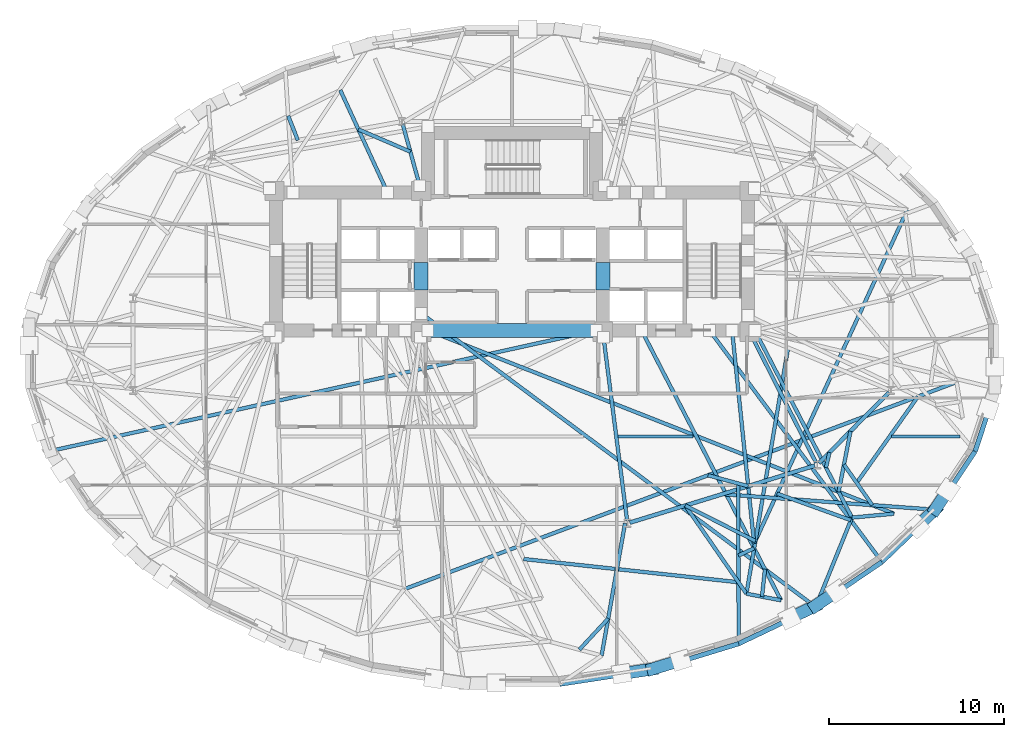
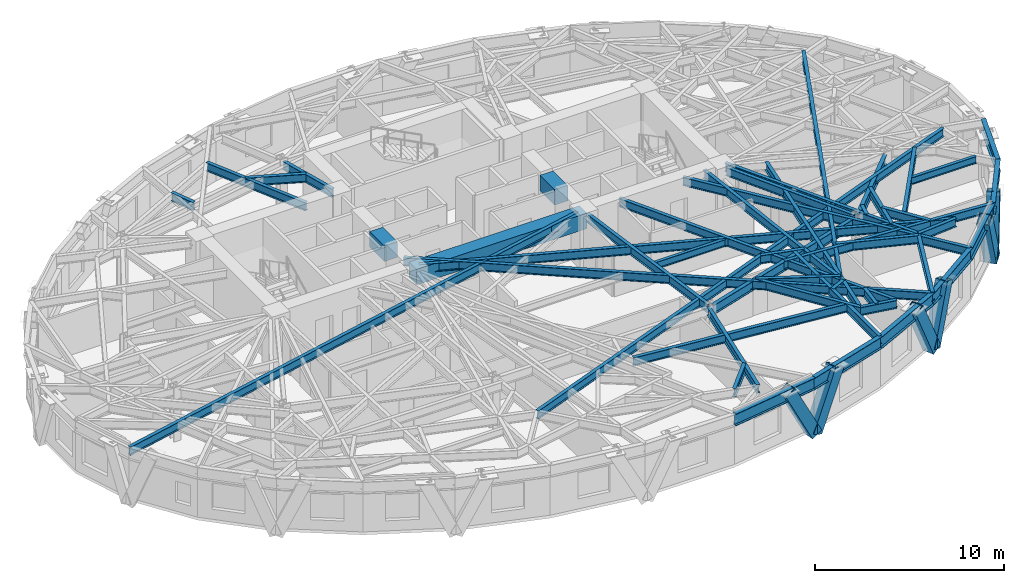
# One storey, part 3 of 14: 48 beams, 6 members.
"""IFC4 building model written with IfcOpenShell, lengths in metres."""

from ifc_helpers import new_model, si_unit, direction, frame, origin, origin_2d, place, context, subcontext, project, spatial, rectangle, hollow_rectangle, i_section, extrude, material, material_profile, profile_set, type_object, element, save


model = new_model("IFC4")

# Units and contexts
model_context = context("Model", 3, precision=1e-05, world=origin(), true_north=direction((0.0, 1.0)))
body_context = subcontext(model_context, "Body", "Model", "MODEL_VIEW")
ifc_project = project(units=[si_unit("LENGTHUNIT", "METRE"), si_unit("AREAUNIT", "SQUARE_METRE"), si_unit("VOLUMEUNIT", "CUBIC_METRE"), si_unit("PLANEANGLEUNIT", "RADIAN"), si_unit("MASSUNIT", "GRAM", prefix="KILO")], contexts=[model_context])

# Site, building, storey
site_placement = place(None, origin())
site = spatial("IfcSite", under=ifc_project, at=site_placement, CompositionType="ELEMENT")
building_placement = place(site_placement, origin())
building = spatial("IfcBuilding", under=site, at=building_placement, Name="Keldmark Tower", CompositionType="ELEMENT")
storey_placement = place(building_placement, frame((0.0, 0.0, 103.60009765625)))
storey = spatial("IfcBuildingStorey", under=building, at=storey_placement, Name="L27", CompositionType="ELEMENT", Elevation=103.60009765625)

# Beams
ifc_material_1 = material(Name="Steel ASTM A992 Grade 50", Category="steel")
ifc_material_profile_1 = material_profile(ifc_material_1, i_section(OverallWidth=0.19091796875, OverallDepth=0.45703125, WebThickness=0.009033203125, FlangeThickness=0.014404296875, at=origin_2d()), Name="W18X50")
ifc_profile_set_1 = profile_set([ifc_material_profile_1], Name="Steel ASTM A992 Grade 50")
beam_type_1 = type_object("IfcBeamType", Name="Composite Floor Joist W18X50", PredefinedType="JOIST", material=ifc_profile_set_1)
beam_1_placement = place(storey_placement, frame((6.06884765625, -4.60009765625, 3.081298828125), z_axis=(1.0, 0.0, 0.0), x_axis=(0.0, 1.0, 0.0)))
element("IfcBeam", 1, at=beam_1_placement, inside=storey, type_object=beam_type_1, Name="L27 Composite Floor Joist J06", PredefinedType="JOIST", context=body_context, shape_type="SweptSolid", body=[
    extrude(i_section(OverallWidth=0.19091796875, OverallDepth=0.45703125, WebThickness=0.009033203125, FlangeThickness=0.014404296875, at=origin_2d()), origin(), (0.0, 0.0, 1.0), 4.287353515625),
])
beam_2_placement = place(storey_placement, frame((21.74658203125, -4.60009765625, 3.081298828125), z_axis=(1.0, 0.0, 0.0), x_axis=(0.0, 1.0, 0.0)))
element("IfcBeam", 2, at=beam_2_placement, inside=storey, type_object=beam_type_1, Name="L27 Composite Floor Joist J07", PredefinedType="JOIST", context=body_context, shape_type="SweptSolid", body=[
    extrude(i_section(OverallWidth=0.19091796875, OverallDepth=0.45703125, WebThickness=0.009033203125, FlangeThickness=0.014404296875, at=origin_2d()), origin(), (0.0, 0.0, 1.0), 3.92138671875),
])
ifc_material_2 = material(Name="Concrete C70/85", Category="concrete")
ifc_material_profile_2 = material_profile(ifc_material_2, rectangle(XDim=0.800048828125, YDim=1.0, at=origin_2d()), Name="RCB800X1000")
ifc_profile_set_2 = profile_set([ifc_material_profile_2], Name="Concrete C70/85")
beam_type_2 = type_object("IfcBeamType", Name="Core Coupling Beam RCB800X1000", PredefinedType="USERDEFINED", material=ifc_profile_set_2)
for number, where, z_axis, x_axis, name in (
    (3, (-5.199951171875, 3.800048828125, 2.809814453125), (0.0, 1.0, 0.0), (-1.0, 0.0, 0.0), "L27 West Core Coupling Beam"),
    (4, (5.199951171875, 3.800048828125, 2.809814453125), (0.0, 1.0, 0.0), (-1.0, 0.0, 0.0), "L27 East Core Coupling Beam"),
):
    element("IfcBeam", number, at=place(storey_placement, frame(where, z_axis=z_axis, x_axis=x_axis)), inside=storey, type_object=beam_type_2, Name=name, ObjectType="COUPLING BEAM", PredefinedType="USERDEFINED", context=body_context, shape_type="SweptSolid", body=[
        extrude(rectangle(XDim=0.800048828125, YDim=1.0, at=origin_2d()), origin(), (0.0, 0.0, 1.0), 1.550048828125),
    ])
beam_3_placement = place(storey_placement, frame((-5.199951171875, 1.47509765625, 2.809814453125), z_axis=(1.0, 0.0, 0.0), x_axis=(0.0, 1.0, 0.0)))
element("IfcBeam", 5, at=beam_3_placement, inside=storey, type_object=beam_type_2, Name="L27 Central South Core Coupling Beam", ObjectType="COUPLING BEAM", PredefinedType="USERDEFINED", context=body_context, shape_type="SweptSolid", body=[
    extrude(rectangle(XDim=0.800048828125, YDim=1.0, at=origin_2d()), origin(), (0.0, 0.0, 1.0), 10.39990234375),
])

# Members
ifc_material_3 = material(Name="Steel ASTM A572 Grade 50", Category="steel")
ifc_material_profile_3 = material_profile(ifc_material_3, hollow_rectangle(XDim=0.699951171875, YDim=0.699951171875, WallThickness=0.044921875, at=origin_2d()), Name="BOX700X700X45")
ifc_profile_set_3 = profile_set([ifc_material_profile_3], Name="Steel ASTM A572 Grade 50")
member_type = type_object("IfcMemberType", Name="Diagrid Zone 2 Brace BOX700X700X45", PredefinedType="BRACE", material=ifc_profile_set_3)
member_1_placement = place(storey_placement, frame((8.039794921875, -17.919921875, -0.27001953125), z_axis=(-0.454742835075, -0.069170031679, 0.887932689265), x_axis=(0.150378326098, -0.98862852429, 0.0)))
element("IfcMember", 6, at=member_1_placement, inside=storey, type_object=member_type, Name="L27 Perimeter Diagrid Brace 13A", PredefinedType="BRACE", context=body_context, shape_type="SweptSolid", body=[
    extrude(hollow_rectangle(XDim=0.699951171875, YDim=0.699951171875, WallThickness=0.044921875, at=origin_2d()), origin(), (0.0, 0.0, 1.0), 3.896728515625),
])
member_2_placement = place(storey_placement, frame((8.0283203125, -17.922119140625, -0.27001953125), z_axis=(0.425979763501, 0.130327191473, 0.895296634781), x_axis=(-0.292560790284, 0.956246926264, 0.0)))
element("IfcMember", 7, at=member_2_placement, inside=storey, type_object=member_type, Name="L27 Perimeter Diagrid Brace 13B", PredefinedType="BRACE", context=body_context, shape_type="SweptSolid", body=[
    extrude(hollow_rectangle(XDim=0.699951171875, YDim=0.699951171875, WallThickness=0.044921875, at=origin_2d()), origin(), (0.0, 0.0, 1.0), 3.864501953125),
])
member_3_placement = place(storey_placement, frame((17.361572265625, -14.311279296875, -0.27001953125), z_axis=(-0.38401046466, -0.183448963247, 0.904921234647), x_axis=(0.431057279259, -0.902324565773, 0.0)))
element("IfcMember", 8, at=member_3_placement, inside=storey, type_object=member_type, Name="L27 Perimeter Diagrid Brace 14A", PredefinedType="BRACE", context=body_context, shape_type="SweptSolid", body=[
    extrude(hollow_rectangle(XDim=0.699951171875, YDim=0.699951171875, WallThickness=0.044921875, at=origin_2d()), origin(), (0.0, 0.0, 1.0), 3.823486328125),
])
member_4_placement = place(storey_placement, frame((17.351806640625, -14.31787109375, -0.27001953125), z_axis=(0.33479314782, 0.226959811273, 0.914550595779), x_axis=(-0.56112680855, 0.827729850088, 0.0)))
element("IfcMember", 9, at=member_4_placement, inside=storey, type_object=member_type, Name="L27 Perimeter Diagrid Brace 14B", PredefinedType="BRACE", context=body_context, shape_type="SweptSolid", body=[
    extrude(hollow_rectangle(XDim=0.699951171875, YDim=0.699951171875, WallThickness=0.044921875, at=origin_2d()), origin(), (0.0, 0.0, 1.0), 3.783203125),
])
member_5_placement = place(storey_placement, frame((24.24658203125, -8.764404296875, -0.27001953125), z_axis=(-0.276144933571, -0.265716991779, 0.923654944199), x_axis=(0.693370375166, -0.720581378362, 0.0)))
element("IfcMember", 10, at=member_5_placement, inside=storey, type_object=member_type, Name="L27 Perimeter Diagrid Brace 15A", PredefinedType="BRACE", context=body_context, shape_type="SweptSolid", body=[
    extrude(hollow_rectangle(XDim=0.699951171875, YDim=0.699951171875, WallThickness=0.044921875, at=origin_2d()), origin(), (0.0, 0.0, 1.0), 3.745849609375),
])
member_6_placement = place(storey_placement, frame((24.239990234375, -8.774169921875, -0.27001953125), z_axis=(0.20033727484, 0.300801977198, 0.932407178664), x_axis=(-0.832302268479, 0.554322048889, 0.0)))
element("IfcMember", 11, at=member_6_placement, inside=storey, type_object=member_type, Name="L27 Perimeter Diagrid Brace 15B", PredefinedType="BRACE", context=body_context, shape_type="SweptSolid", body=[
    extrude(hollow_rectangle(XDim=0.699951171875, YDim=0.699951171875, WallThickness=0.044921875, at=origin_2d()), origin(), (0.0, 0.0, 1.0), 3.710693359375),
])

# Beams
ifc_material_4 = material(Name="Steel ASTM A992 Grade 50", Category="steel")
ifc_material_profile_4 = material_profile(ifc_material_4, i_section(OverallWidth=0.22900390625, OverallDepth=0.612060546875, WebThickness=0.011962890625, FlangeThickness=0.01953125, at=origin_2d()), Name="W24X84")
ifc_profile_set_4 = profile_set([ifc_material_profile_4], Name="Steel ASTM A992 Grade 50")
beam_type_3 = type_object("IfcBeamType", Name="Primary Floor Girder W24X84", PredefinedType="BEAM", material=ifc_profile_set_4)
beam_4_placement = place(storey_placement, frame((6.74658203125, -9.5380859375, 3.00390625), z_axis=(0.955607954968, 0.294641199432, 0.0), x_axis=(-0.294641199432, 0.955607954968, 0.0)))
element("IfcBeam", 12, at=beam_4_placement, inside=storey, type_object=beam_type_3, Name="L27 Floor Ring Girder FG-R10", PredefinedType="BEAM", context=body_context, shape_type="SweptSolid", body=[
    extrude(i_section(OverallWidth=0.22900390625, OverallDepth=0.612060546875, WebThickness=0.011962890625, FlangeThickness=0.01953125, at=origin_2d()), origin(), (0.0, 0.0, 1.0), 11.089111328125),
])
beam_5_placement = place(storey_placement, frame((17.57568359375, -6.130126953125, 3.00390625), z_axis=(0.703425791323, 0.71076870788, 0.0), x_axis=(-0.71076870788, 0.703425791323, 0.0)))
element("IfcBeam", 13, at=beam_5_placement, inside=storey, type_object=beam_type_3, Name="L27 Floor Ring Girder FG-R11", PredefinedType="BEAM", context=body_context, shape_type="SweptSolid", body=[
    extrude(i_section(OverallWidth=0.22900390625, OverallDepth=0.612060546875, WebThickness=0.011962890625, FlangeThickness=0.01953125, at=origin_2d()), origin(), (0.0, 0.0, 1.0), 5.71875),
])
ifc_material_5 = material(Name="Steel ASTM A992 Grade 50", Category="steel")
ifc_material_profile_5 = material_profile(ifc_material_5, i_section(OverallWidth=0.2099609375, OverallDepth=0.537109375, WebThickness=0.010986328125, FlangeThickness=0.017333984375, at=origin_2d()), Name="W21X68")
ifc_profile_set_5 = profile_set([ifc_material_profile_5], Name="Steel ASTM A992 Grade 50")
beam_type_4 = type_object("IfcBeamType", Name="Radial Tie Girder W21X68", PredefinedType="BEAM", material=ifc_profile_set_5)
beam_6_placement = place(storey_placement, frame((-6.26171875, 13.297607421875, 3.04150390625), z_axis=(0.265997186795, -0.963973804944, 0.0), x_axis=(0.963973804944, 0.265997186795, 0.0)))
element("IfcBeam", 14, at=beam_6_placement, inside=storey, type_object=beam_type_4, Name="L27 Floor Radial Girder FG-C04", PredefinedType="BEAM", context=body_context, shape_type="SweptSolid", body=[
    extrude(i_section(OverallWidth=0.2099609375, OverallDepth=0.537109375, WebThickness=0.010986328125, FlangeThickness=0.017333984375, at=origin_2d()), origin(), (0.0, 0.0, 1.0), 3.67138671875),
])
beam_7_placement = place(storey_placement, frame((6.594970703125, -9.4404296875, 3.04150390625), z_axis=(-0.127642040045, 0.991820301069, 0.0), x_axis=(-0.991820301069, -0.127642040045, 0.0)))
element("IfcBeam", 15, at=beam_7_placement, inside=storey, type_object=beam_type_4, Name="L27 Floor Radial Girder FG-C10", PredefinedType="BEAM", context=body_context, shape_type="SweptSolid", body=[
    extrude(i_section(OverallWidth=0.2099609375, OverallDepth=0.537109375, WebThickness=0.010986328125, FlangeThickness=0.017333984375, at=origin_2d()), origin(), (0.0, 0.0, 1.0), 10.609619140625),
])
beam_8_placement = place(storey_placement, frame((17.413818359375, -6.104736328125, 3.04150390625), z_axis=(-0.453028637759, 0.891495963743, 0.0), x_axis=(-0.891495963743, -0.453028637759, 0.0)))
element("IfcBeam", 16, at=beam_8_placement, inside=storey, type_object=beam_type_4, Name="L27 Floor Radial Girder FG-C11", PredefinedType="BEAM", context=body_context, shape_type="SweptSolid", body=[
    extrude(i_section(OverallWidth=0.2099609375, OverallDepth=0.537109375, WebThickness=0.010986328125, FlangeThickness=0.017333984375, at=origin_2d()), origin(), (0.0, 0.0, 1.0), 8.09814453125),
])
beam_9_placement = place(storey_placement, frame((-5.822265625, 11.705078125, 3.04150390625), z_axis=(-0.918742788733, 0.39485654123, 0.0), x_axis=(-0.39485654123, -0.918742788733, 0.0)))
element("IfcBeam", 17, at=beam_9_placement, inside=storey, type_object=beam_type_4, Name="L27 Framing Pin Header PH-002", PredefinedType="BEAM", context=body_context, shape_type="SweptSolid", body=[
    extrude(i_section(OverallWidth=0.2099609375, OverallDepth=0.537109375, WebThickness=0.010986328125, FlangeThickness=0.017333984375, at=origin_2d()), origin(), (0.0, 0.0, 1.0), 3.237548828125),
])
beam_10_placement = place(storey_placement, frame((-7.132080078125, 9.375, 3.04150390625), z_axis=(-0.41889505374, 0.908034654599, 0.0), x_axis=(-0.908034654599, -0.41889505374, 0.0)))
element("IfcBeam", 18, at=beam_10_placement, inside=storey, type_object=beam_type_4, Name="L27 Sub-Ring Step Girder STP1-M05", PredefinedType="BEAM", context=body_context, shape_type="SweptSolid", body=[
    extrude(i_section(OverallWidth=0.2099609375, OverallDepth=0.537109375, WebThickness=0.010986328125, FlangeThickness=0.017333984375, at=origin_2d()), origin(), (0.0, 0.0, 1.0), 6.4541015625),
])
beam_11_placement = place(storey_placement, frame((-6.1748046875, -13.349609375, 3.04150390625), z_axis=(0.936336898088, 0.351102852851, 0.0), x_axis=(-0.351102852851, 0.936336898088, 0.0)))
element("IfcBeam", 19, at=beam_11_placement, inside=storey, type_object=beam_type_4, Name="L27 Perimeter Collector Ring Beam CRG1-M09", PredefinedType="BEAM", context=body_context, shape_type="SweptSolid", body=[
    extrude(i_section(OverallWidth=0.2099609375, OverallDepth=0.537109375, WebThickness=0.010986328125, FlangeThickness=0.017333984375, at=origin_2d()), origin(), (0.0, 0.0, 1.0), 33.787109375),
])
beam_12_placement = place(storey_placement, frame((11.22509765625, -6.8251953125, 3.04150390625), z_axis=(0.965260823005, -0.261288238485, 0.0), x_axis=(0.261288238485, 0.965260823005, 0.0)))
element("IfcBeam", 20, at=beam_12_placement, inside=storey, type_object=beam_type_4, Name="L27 Framing Pin Header PH-014", PredefinedType="BEAM", context=body_context, shape_type="SweptSolid", body=[
    extrude(i_section(OverallWidth=0.2099609375, OverallDepth=0.537109375, WebThickness=0.010986328125, FlangeThickness=0.017333984375, at=origin_2d()), origin(), (0.0, 0.0, 1.0), 2.383544921875),
])
beam_13_placement = place(storey_placement, frame((12.603515625, 1.47509765625, 3.04150390625), z_axis=(0.102811001246, -0.994700908828, 0.0), x_axis=(0.994700908828, 0.102811001246, 0.0)))
element("IfcBeam", 21, at=beam_13_placement, inside=storey, type_object=beam_type_4, Name="L27 Sub-Ring Step Girder STP2-M11", PredefinedType="BEAM", context=body_context, shape_type="SweptSolid", body=[
    extrude(i_section(OverallWidth=0.2099609375, OverallDepth=0.537109375, WebThickness=0.010986328125, FlangeThickness=0.017333984375, at=origin_2d()), origin(), (0.0, 0.0, 1.0), 12.2841796875),
])
beam_14_placement = place(storey_placement, frame((13.866455078125, -10.743896484375, 3.04150390625), z_axis=(0.416970317331, 0.908920103455, 0.0), x_axis=(-0.908920103455, 0.416970317331, 0.0)))
element("IfcBeam", 22, at=beam_14_placement, inside=storey, type_object=beam_type_4, Name="L27 Perimeter Collector Ring Beam CRG2-M11", PredefinedType="BEAM", context=body_context, shape_type="SweptSolid", body=[
    extrude(i_section(OverallWidth=0.2099609375, OverallDepth=0.537109375, WebThickness=0.010986328125, FlangeThickness=0.017333984375, at=origin_2d()), origin(), (0.0, 0.0, 1.0), 21.041015625),
])
beam_15_placement = place(storey_placement, frame((-12.2626953125, 12.360107421875, 3.04150390625), z_axis=(-0.369063913869, 0.929404017357, 0.0), x_axis=(-0.929404017357, -0.369063913869, 0.0)))
element("IfcBeam", 23, at=beam_15_placement, inside=storey, type_object=beam_type_4, Name="L27 Framing Pin Header PH-021", PredefinedType="BEAM", context=body_context, shape_type="SweptSolid", body=[
    extrude(i_section(OverallWidth=0.2099609375, OverallDepth=0.537109375, WebThickness=0.010986328125, FlangeThickness=0.017333984375, at=origin_2d()), origin(), (0.0, 0.0, 1.0), 1.502197265625),
])
beam_16_placement = place(storey_placement, frame((4.824951171875, 1.47509765625, 3.04150390625), z_axis=(-0.976430149111, -0.215833648692, 0.0), x_axis=(0.215833648692, -0.976430149111, 0.0)))
element("IfcBeam", 24, at=beam_16_placement, inside=storey, type_object=beam_type_4, Name="L27 Perimeter Radial Tie Girder RT-18", PredefinedType="BEAM", context=body_context, shape_type="SweptSolid", body=[
    extrude(i_section(OverallWidth=0.2099609375, OverallDepth=0.537109375, WebThickness=0.010986328125, FlangeThickness=0.017333984375, at=origin_2d()), origin(), (0.0, 0.0, 1.0), 32.104248046875),
])
beam_17_placement = place(storey_placement, frame((9.92578125, -8.557861328125, 3.04150390625), z_axis=(0.89201446868, -0.452006844711, 0.0), x_axis=(0.452006844711, 0.89201446868, 0.0)))
element("IfcBeam", 25, at=beam_17_placement, inside=storey, type_object=beam_type_4, Name="L27 Framing Pin Header PH-036", PredefinedType="BEAM", context=body_context, shape_type="SweptSolid", body=[
    extrude(i_section(OverallWidth=0.2099609375, OverallDepth=0.537109375, WebThickness=0.010986328125, FlangeThickness=0.017333984375, at=origin_2d()), origin(), (0.0, 0.0, 1.0), 4.49658203125),
])
beam_18_placement = place(storey_placement, frame((15.8134765625, 0.47998046875, 3.04150390625), z_axis=(-0.167141733983, -0.985932878426, 0.0), x_axis=(0.985932878426, -0.167141733983, 0.0)))
element("IfcBeam", 26, at=beam_18_placement, inside=storey, type_object=beam_type_4, Name="L27 Intermediate Radial Step Girder RT-27M", PredefinedType="BEAM", context=body_context, shape_type="SweptSolid", body=[
    extrude(i_section(OverallWidth=0.2099609375, OverallDepth=0.537109375, WebThickness=0.010986328125, FlangeThickness=0.017333984375, at=origin_2d()), origin(), (0.0, 0.0, 1.0), 14.286865234375),
])
beam_19_placement = place(storey_placement, frame((9.92578125, -8.557861328125, 3.04150390625), z_axis=(0.5697513477, -0.821817134035, 0.0), x_axis=(0.821817134035, 0.5697513477, 0.0)))
element("IfcBeam", 27, at=beam_19_placement, inside=storey, type_object=beam_type_4, Name="L27 Local Collector Chord RT-27C", PredefinedType="BEAM", context=body_context, shape_type="SweptSolid", body=[
    extrude(i_section(OverallWidth=0.2099609375, OverallDepth=0.537109375, WebThickness=0.010986328125, FlangeThickness=0.017333984375, at=origin_2d()), origin(), (0.0, 0.0, 1.0), 6.142578125),
])
beam_20_placement = place(storey_placement, frame((0.669189453125, -11.62109375, 3.04150390625), z_axis=(0.994206363768, -0.107488167923, 0.0), x_axis=(0.107488167923, 0.994206363768, 0.0)))
element("IfcBeam", 28, at=beam_20_placement, inside=storey, type_object=beam_type_4, Name="L27 Framing Pin Header PH-037", PredefinedType="BEAM", context=body_context, shape_type="SweptSolid", body=[
    extrude(i_section(OverallWidth=0.2099609375, OverallDepth=0.537109375, WebThickness=0.010986328125, FlangeThickness=0.017333984375, at=origin_2d()), origin(), (0.0, 0.0, 1.0), 12.374267578125),
])
beam_21_placement = place(storey_placement, frame((12.95068359375, -7.292236328125, 3.04150390625), z_axis=(0.003724963514, -0.999993062299, 0.0), x_axis=(0.999993062299, 0.003724963514, 0.0)))
element("IfcBeam", 29, at=beam_21_placement, inside=storey, type_object=beam_type_4, Name="L27 Perimeter Radial Tie Girder RT-27", PredefinedType="BEAM", context=body_context, shape_type="SweptSolid", body=[
    extrude(i_section(OverallWidth=0.2099609375, OverallDepth=0.537109375, WebThickness=0.010986328125, FlangeThickness=0.017333984375, at=origin_2d()), origin(), (0.0, 0.0, 1.0), 9.17578125),
])
beam_22_placement = place(storey_placement, frame((12.966064453125, -11.42138671875, 3.04150390625), z_axis=(0.907079392959, 0.420959588166, 0.0), x_axis=(-0.420959588166, 0.907079392959, 0.0)))
element("IfcBeam", 30, at=beam_22_placement, inside=storey, type_object=beam_type_4, Name="L27 Framing Pin Header PH-038", PredefinedType="BEAM", context=body_context, shape_type="SweptSolid", body=[
    extrude(i_section(OverallWidth=0.2099609375, OverallDepth=0.537109375, WebThickness=0.010986328125, FlangeThickness=0.017333984375, at=origin_2d()), origin(), (0.0, 0.0, 1.0), 0.992919921875),
])
beam_23_placement = place(storey_placement, frame((7.41796875, 1.47509765625, 3.04150390625), z_axis=(0.459109556407, -0.888379657137, 0.0), x_axis=(0.888379657137, 0.459109556407, 0.0)))
element("IfcBeam", 31, at=beam_23_placement, inside=storey, type_object=beam_type_4, Name="L27 Intermediate Radial Step Girder RT-28M", PredefinedType="BEAM", context=body_context, shape_type="SweptSolid", body=[
    extrude(i_section(OverallWidth=0.2099609375, OverallDepth=0.537109375, WebThickness=0.010986328125, FlangeThickness=0.017333984375, at=origin_2d()), origin(), (0.0, 0.0, 1.0), 17.402587890625),
])
beam_24_placement = place(storey_placement, frame((13.425537109375, -13.60595703125, 3.04150390625), z_axis=(0.982193207505, -0.18787363607, 0.0), x_axis=(0.18787363607, 0.982193207505, 0.0)))
element("IfcBeam", 32, at=beam_24_placement, inside=storey, type_object=beam_type_4, Name="L27 Local Collector Chord RT-28C", PredefinedType="BEAM", context=body_context, shape_type="SweptSolid", body=[
    extrude(i_section(OverallWidth=0.2099609375, OverallDepth=0.537109375, WebThickness=0.010986328125, FlangeThickness=0.017333984375, at=origin_2d()), origin(), (0.0, 0.0, 1.0), 2.01806640625),
])
beam_25_placement = place(storey_placement, frame((14.3173828125, -13.776611328125, 3.04150390625), z_axis=(0.107246862306, 0.994232422789, 0.0), x_axis=(-0.994232422789, 0.107246862306, 0.0)))
element("IfcBeam", 33, at=beam_25_placement, inside=storey, type_object=beam_type_4, Name="L27 Framing Pin Header PH-039", PredefinedType="BEAM", context=body_context, shape_type="SweptSolid", body=[
    extrude(i_section(OverallWidth=0.2099609375, OverallDepth=0.537109375, WebThickness=0.010986328125, FlangeThickness=0.017333984375, at=origin_2d()), origin(), (0.0, 0.0, 1.0), 1.58203125),
])
beam_26_placement = place(storey_placement, frame((-5.199951171875, 2.449951171875, 3.04150390625), z_axis=(0.802179432186, -0.59708304161, 0.0), x_axis=(0.59708304161, 0.802179432186, 0.0)))
element("IfcBeam", 34, at=beam_26_placement, inside=storey, type_object=beam_type_4, Name="L27 Perimeter Radial Tie Girder RT-28", PredefinedType="BEAM", context=body_context, shape_type="SweptSolid", body=[
    extrude(i_section(OverallWidth=0.2099609375, OverallDepth=0.537109375, WebThickness=0.010986328125, FlangeThickness=0.017333984375, at=origin_2d()), origin(), (0.0, 0.0, 1.0), 28.16064453125),
])
beam_27_placement = place(storey_placement, frame((18.17919921875, -5.5205078125, 3.04150390625), z_axis=(-0.218472344851, -0.975843140333, 0.0), x_axis=(0.975843140333, -0.218472344851, 0.0)))
element("IfcBeam", 35, at=beam_27_placement, inside=storey, type_object=beam_type_4, Name="L27 Framing Pin Header PH-040", PredefinedType="BEAM", context=body_context, shape_type="SweptSolid", body=[
    extrude(i_section(OverallWidth=0.2099609375, OverallDepth=0.537109375, WebThickness=0.010986328125, FlangeThickness=0.017333984375, at=origin_2d()), origin(), (0.0, 0.0, 1.0), 0.888427734375),
])
beam_28_placement = place(storey_placement, frame((13.89990234375, 1.47509765625, 3.04150390625), z_axis=(0.461052437955, -0.887372892, 0.0), x_axis=(0.887372892, 0.461052437955, 0.0)))
element("IfcBeam", 36, at=beam_28_placement, inside=storey, type_object=beam_type_4, Name="L27 Intermediate Radial Step Girder RT-29M", PredefinedType="BEAM", context=body_context, shape_type="SweptSolid", body=[
    extrude(i_section(OverallWidth=0.2099609375, OverallDepth=0.537109375, WebThickness=0.010986328125, FlangeThickness=0.017333984375, at=origin_2d()), origin(), (0.0, 0.0, 1.0), 12.083251953125),
])
beam_29_placement = place(storey_placement, frame((17.389892578125, -14.3642578125, 3.04150390625), z_axis=(0.376733853868, 0.926321544254, 0.0), x_axis=(-0.926321544254, 0.376733853868, 0.0)))
element("IfcBeam", 37, at=beam_29_placement, inside=storey, type_object=beam_type_4, Name="L27 Local Collector Chord RT-29C", PredefinedType="BEAM", context=body_context, shape_type="SweptSolid", body=[
    extrude(i_section(OverallWidth=0.2099609375, OverallDepth=0.537109375, WebThickness=0.010986328125, FlangeThickness=0.017333984375, at=origin_2d()), origin(), (0.0, 0.0, 1.0), 5.52392578125),
])
beam_30_placement = place(storey_placement, frame((15.182373046875, -7.875, 3.04150390625), z_axis=(0.940725912132, -0.339167743518, 0.0), x_axis=(0.339167743518, 0.940725912132, 0.0)))
element("IfcBeam", 38, at=beam_30_placement, inside=storey, type_object=beam_type_4, Name="L27 Framing Pin Header PH-041", PredefinedType="BEAM", context=body_context, shape_type="SweptSolid", body=[
    extrude(i_section(OverallWidth=0.2099609375, OverallDepth=0.537109375, WebThickness=0.010986328125, FlangeThickness=0.017333984375, at=origin_2d()), origin(), (0.0, 0.0, 1.0), 4.4931640625),
])
beam_31_placement = place(storey_placement, frame((11.30712890625, 1.47509765625, 3.04150390625), z_axis=(0.597474809089, -0.801887680728, 0.0), x_axis=(0.801887680728, 0.597474809089, 0.0)))
element("IfcBeam", 39, at=beam_31_placement, inside=storey, type_object=beam_type_4, Name="L27 Perimeter Radial Tie Girder RT-29", PredefinedType="BEAM", context=body_context, shape_type="SweptSolid", body=[
    extrude(i_section(OverallWidth=0.2099609375, OverallDepth=0.537109375, WebThickness=0.010986328125, FlangeThickness=0.017333984375, at=origin_2d()), origin(), (0.0, 0.0, 1.0), 16.54052734375),
])
beam_32_placement = place(storey_placement, frame((19.385986328125, -4.301025390625, 3.04150390625), z_axis=(-0.191792197269, -0.981435557266, 0.0), x_axis=(0.981435557266, -0.191792197269, 0.0)))
element("IfcBeam", 40, at=beam_32_placement, inside=storey, type_object=beam_type_4, Name="L27 Framing Pin Header PH-042", PredefinedType="BEAM", context=body_context, shape_type="SweptSolid", body=[
    extrude(i_section(OverallWidth=0.2099609375, OverallDepth=0.537109375, WebThickness=0.010986328125, FlangeThickness=0.017333984375, at=origin_2d()), origin(), (0.0, 0.0, 1.0), 3.541259765625),
])
beam_33_placement = place(storey_placement, frame((-4.824951171875, 1.47509765625, 3.04150390625), z_axis=(0.930656016683, -0.365895310999, 0.0), x_axis=(0.365895310999, 0.930656016683, 0.0)))
element("IfcBeam", 41, at=beam_33_placement, inside=storey, type_object=beam_type_4, Name="L27 Intermediate Radial Step Girder RT-30M", PredefinedType="BEAM", context=body_context, shape_type="SweptSolid", body=[
    extrude(i_section(OverallWidth=0.2099609375, OverallDepth=0.537109375, WebThickness=0.010986328125, FlangeThickness=0.017333984375, at=origin_2d()), origin(), (0.0, 0.0, 1.0), 28.69677734375),
])
beam_34_placement = place(storey_placement, frame((19.470947265625, -9.247314453125, 3.04150390625), z_axis=(0.995771647265, 0.091863085636, 0.0), x_axis=(-0.091863085636, 0.995771647265, 0.0)))
element("IfcBeam", 42, at=beam_34_placement, inside=storey, type_object=beam_type_4, Name="L27 Local Collector Chord RT-30C", PredefinedType="BEAM", context=body_context, shape_type="SweptSolid", body=[
    extrude(i_section(OverallWidth=0.2099609375, OverallDepth=0.537109375, WebThickness=0.010986328125, FlangeThickness=0.017333984375, at=origin_2d()), origin(), (0.0, 0.0, 1.0), 2.421142578125),
])
beam_35_placement = place(storey_placement, frame((19.012451171875, -6.21240234375, 3.04150390625), z_axis=(0.572536208018, -0.819879436569, 0.0), x_axis=(0.819879436569, 0.572536208018, 0.0)))
element("IfcBeam", 43, at=beam_35_placement, inside=storey, type_object=beam_type_4, Name="L27 Framing Pin Header PH-043", PredefinedType="BEAM", context=body_context, shape_type="SweptSolid", body=[
    extrude(i_section(OverallWidth=0.2099609375, OverallDepth=0.537109375, WebThickness=0.010986328125, FlangeThickness=0.017333984375, at=origin_2d()), origin(), (0.0, 0.0, 1.0), 2.831787109375),
])
beam_36_placement = place(storey_placement, frame((12.044921875, -7.904541015625, 3.04150390625), z_axis=(0.997323338441, -0.07311743021, 0.0), x_axis=(0.07311743021, 0.997323338441, 0.0)))
element("IfcBeam", 44, at=beam_36_placement, inside=storey, type_object=beam_type_4, Name="L27 Perimeter Radial Tie Girder RT-30", PredefinedType="BEAM", context=body_context, shape_type="SweptSolid", body=[
    extrude(i_section(OverallWidth=0.2099609375, OverallDepth=0.537109375, WebThickness=0.010986328125, FlangeThickness=0.017333984375, at=origin_2d()), origin(), (0.0, 0.0, 1.0), 12.281005859375),
])
beam_37_placement = place(storey_placement, frame((19.7421875, -7.25732421875, 3.04150390625), z_axis=(0.578692534562, 0.815545799108, 0.0), x_axis=(-0.815545799108, 0.578692534562, 0.0)))
element("IfcBeam", 45, at=beam_37_placement, inside=storey, type_object=beam_type_4, Name="L27 Framing Pin Header PH-044", PredefinedType="BEAM", context=body_context, shape_type="SweptSolid", body=[
    extrude(i_section(OverallWidth=0.2099609375, OverallDepth=0.537109375, WebThickness=0.010986328125, FlangeThickness=0.017333984375, at=origin_2d()), origin(), (0.0, 0.0, 1.0), 6.057861328125),
])
beam_38_placement = place(storey_placement, frame((5.131591796875, -17.1533203125, 3.04150390625), z_axis=(0.174381017898, 0.984678252322, 0.0), x_axis=(-0.984678252322, 0.174381017898, 0.0)))
element("IfcBeam", 46, at=beam_38_placement, inside=storey, type_object=beam_type_4, Name="L27 Straddling Support Chord RT-26RB", PredefinedType="BEAM", context=body_context, shape_type="SweptSolid", body=[
    extrude(i_section(OverallWidth=0.2099609375, OverallDepth=0.537109375, WebThickness=0.010986328125, FlangeThickness=0.017333984375, at=origin_2d()), origin(), (0.0, 0.0, 1.0), 7.69189453125),
])
beam_39_placement = place(storey_placement, frame((3.8603515625, -16.808837890625, 3.04150390625), z_axis=(0.679940549102, 0.73326724302, 0.0), x_axis=(-0.73326724302, 0.679940549102, 0.0)))
element("IfcBeam", 47, at=beam_39_placement, inside=storey, type_object=beam_type_4, Name="L27 Framing Pin Header PH-050", PredefinedType="BEAM", context=body_context, shape_type="SweptSolid", body=[
    extrude(i_section(OverallWidth=0.2099609375, OverallDepth=0.537109375, WebThickness=0.010986328125, FlangeThickness=0.017333984375, at=origin_2d()), origin(), (0.0, 0.0, 1.0), 2.421875),
])
ifc_material_6 = material(Name="Steel ASTM A992 Grade 50", Category="steel")
ifc_material_profile_6 = material_profile(ifc_material_6, i_section(OverallWidth=0.26806640625, OverallDepth=0.77001953125, WebThickness=0.015625, FlangeThickness=0.025390625, at=origin_2d()), Name="W30X132")
ifc_profile_set_6 = profile_set([ifc_material_profile_6], Name="Steel ASTM A992 Grade 50")
beam_type_5 = type_object("IfcBeamType", Name="Spandrel Ring Beam W30X132", PredefinedType="SPANDREL", material=ifc_profile_set_6)
beam_40_placement = place(storey_placement, frame((2.729736328125, -18.788330078125, 2.9248046875), z_axis=(0.988621773192, 0.150422702975, 0.0), x_axis=(-0.150422702975, 0.988621773192, 0.0)))
element("IfcBeam", 48, at=beam_40_placement, inside=storey, type_object=beam_type_5, Name="L27 Perimeter Spandrel Ring Beam SRB-25", PredefinedType="SPANDREL", context=body_context, shape_type="SweptSolid", body=[
    extrude(i_section(OverallWidth=0.26806640625, OverallDepth=0.77001953125, WebThickness=0.015625, FlangeThickness=0.025390625, at=origin_2d()), origin(), (0.0, 0.0, 1.0), 5.377197265625),
])
beam_41_placement = place(storey_placement, frame((8.045654296875, -17.9794921875, 2.9248046875), z_axis=(0.956228569431, 0.292620783617, 0.0), x_axis=(-0.292620783617, 0.956228569431, 0.0)))
element("IfcBeam", 49, at=beam_41_placement, inside=storey, type_object=beam_type_5, Name="L27 Perimeter Spandrel Ring Beam SRB-26", PredefinedType="SPANDREL", context=body_context, shape_type="SweptSolid", body=[
    extrude(i_section(OverallWidth=0.26806640625, OverallDepth=0.77001953125, WebThickness=0.015625, FlangeThickness=0.025390625, at=origin_2d()), origin(), (0.0, 0.0, 1.0), 5.165283203125),
])
beam_42_placement = place(storey_placement, frame((12.98486328125, -16.468017578125, 2.9248046875), z_axis=(0.902372757907, 0.430956385018, 0.0), x_axis=(-0.430956385018, 0.902372757907, 0.0)))
element("IfcBeam", 50, at=beam_42_placement, inside=storey, type_object=beam_type_5, Name="L27 Perimeter Spandrel Ring Beam SRB-27", PredefinedType="SPANDREL", context=body_context, shape_type="SweptSolid", body=[
    extrude(i_section(OverallWidth=0.26806640625, OverallDepth=0.77001953125, WebThickness=0.015625, FlangeThickness=0.025390625, at=origin_2d()), origin(), (0.0, 0.0, 1.0), 4.881591796875),
])
beam_43_placement = place(storey_placement, frame((17.389892578125, -14.3642578125, 2.9248046875), z_axis=(0.827754551165, 0.56109036975, 0.0), x_axis=(-0.56109036975, 0.827754551165, 0.0)))
element("IfcBeam", 51, at=beam_43_placement, inside=storey, type_object=beam_type_5, Name="L27 Perimeter Spandrel Ring Beam SRB-28", PredefinedType="SPANDREL", context=body_context, shape_type="SweptSolid", body=[
    extrude(i_section(OverallWidth=0.26806640625, OverallDepth=0.77001953125, WebThickness=0.015625, FlangeThickness=0.025390625, at=origin_2d()), origin(), (0.0, 0.0, 1.0), 4.590576171875),
])
beam_44_placement = place(storey_placement, frame((21.189697265625, -11.78857421875, 2.9248046875), z_axis=(0.720581378362, 0.693370375166, 0.0), x_axis=(-0.693370375166, 0.720581378362, 0.0)))
element("IfcBeam", 52, at=beam_44_placement, inside=storey, type_object=beam_type_5, Name="L27 Perimeter Spandrel Ring Beam SRB-29", PredefinedType="SPANDREL", context=body_context, shape_type="SweptSolid", body=[
    extrude(i_section(OverallWidth=0.26806640625, OverallDepth=0.77001953125, WebThickness=0.015625, FlangeThickness=0.025390625, at=origin_2d()), origin(), (0.0, 0.0, 1.0), 4.306640625),
])
beam_45_placement = place(storey_placement, frame((24.29296875, -8.802490234375, 2.9248046875), z_axis=(0.554265966169, 0.832339617432, 0.0), x_axis=(-0.832339617432, 0.554265966169, 0.0)))
element("IfcBeam", 53, at=beam_45_placement, inside=storey, type_object=beam_type_5, Name="L27 Perimeter Spandrel Ring Beam SRB-30", PredefinedType="SPANDREL", context=body_context, shape_type="SweptSolid", body=[
    extrude(i_section(OverallWidth=0.26806640625, OverallDepth=0.77001953125, WebThickness=0.015625, FlangeThickness=0.025390625, at=origin_2d()), origin(), (0.0, 0.0, 1.0), 4.02294921875),
])
beam_46_placement = place(storey_placement, frame((26.522705078125, -5.4541015625, 2.9248046875), z_axis=(0.314316911692, 0.94931811266, 0.0), x_axis=(-0.94931811266, 0.314316911692, 0.0)))
element("IfcBeam", 54, at=beam_46_placement, inside=storey, type_object=beam_type_5, Name="L27 Perimeter Spandrel Ring Beam SRB-31", PredefinedType="SPANDREL", context=body_context, shape_type="SweptSolid", body=[
    extrude(i_section(OverallWidth=0.26806640625, OverallDepth=0.77001953125, WebThickness=0.015625, FlangeThickness=0.025390625, at=origin_2d()), origin(), (0.0, 0.0, 1.0), 3.7958984375),
])

save(model, "model.ifc")
